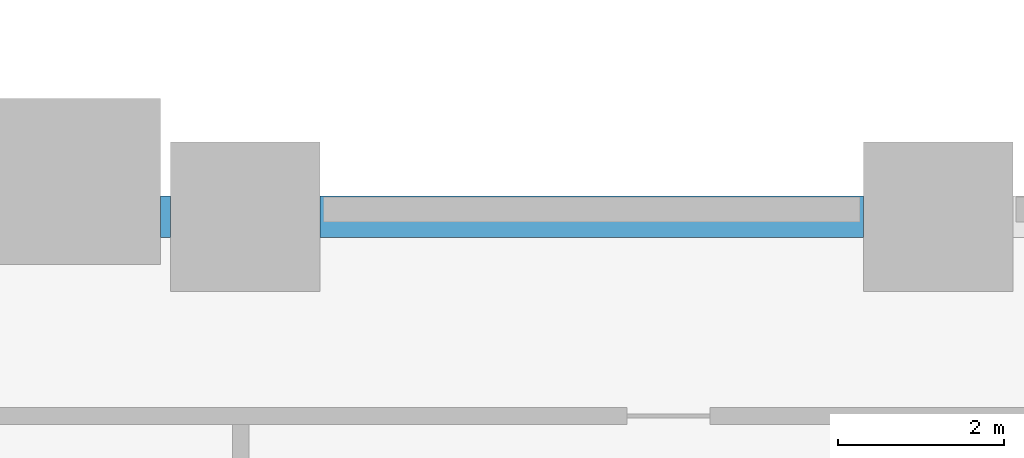
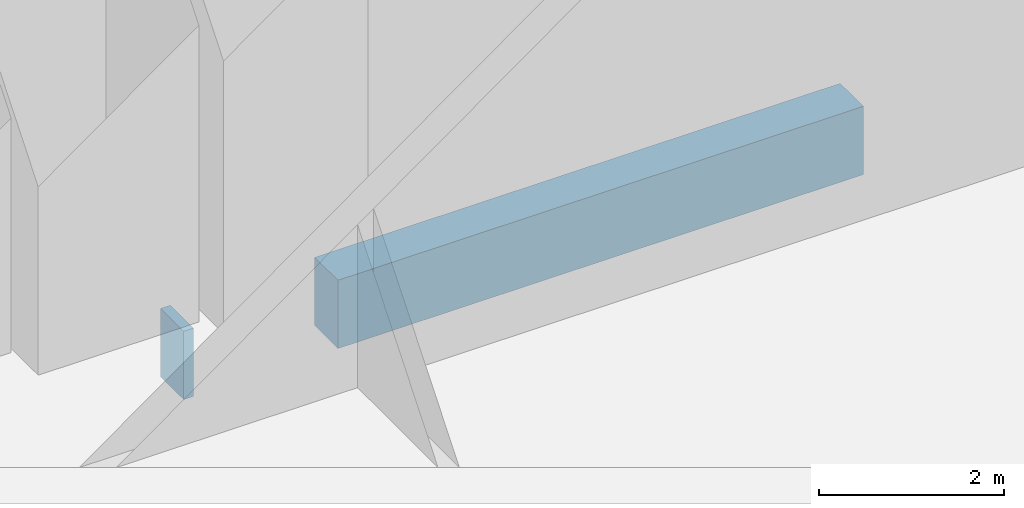
# One storey, part 2 of 28: 2 beams.
"""IFC4 building model written with IfcOpenShell, lengths in metres."""

from ifc_helpers import new_model, si_unit, direction, frame, origin, origin_2d, place, context, subcontext, project, spatial, rectangle, extrude, material, material_profile, profile_set, type_object, element, save


model = new_model("IFC4")

# Units and contexts
model_context = context("Model", 3, precision=1e-05, world=origin(), true_north=direction((0.0, 1.0)))
body_context = subcontext(model_context, "Body", "Model", "MODEL_VIEW")
ifc_project = project(units=[si_unit("LENGTHUNIT", "METRE"), si_unit("AREAUNIT", "SQUARE_METRE"), si_unit("VOLUMEUNIT", "CUBIC_METRE"), si_unit("PLANEANGLEUNIT", "RADIAN"), si_unit("MASSUNIT", "GRAM", prefix="KILO")], contexts=[model_context])

# Site, building, storey
site_placement = place(None, origin())
site = spatial("IfcSite", under=ifc_project, at=site_placement, CompositionType="ELEMENT")
building_placement = place(site_placement, origin())
building = spatial("IfcBuilding", under=site, at=building_placement, Name="Marenta Gate Hotel Tower", CompositionType="ELEMENT")
storey_placement = place(building_placement, frame((0.0, 0.0, 26.0)))
storey = spatial("IfcBuildingStorey", under=building, at=storey_placement, Name="L04", CompositionType="ELEMENT", Elevation=26.0)

# Beams
ifc_material = material(Name="Concrete C60", Category="concrete")
ifc_material_profile = material_profile(ifc_material, rectangle(XDim=0.5, YDim=0.89990234375, at=origin_2d()), Name="500 x 900")
ifc_profile_set = profile_set([ifc_material_profile], Name="Concrete C60")
beam_type = type_object("IfcBeamType", Name="Podium edge beam 500 x 900 C60", PredefinedType="BEAM", material=ifc_profile_set)
beam_1_placement = place(storey_placement, frame((-5.10009765625, -16.800048828125, -0.77001953125), z_axis=(-1.0, 0.0, 0.0), x_axis=(0.0, -1.0, 0.0)))
element("IfcBeam", 1, at=beam_1_placement, inside=storey, type_object=beam_type, Name="L04-PBM-147", PredefinedType="BEAM", context=body_context, shape_type="SweptSolid", body=[
    extrude(rectangle(XDim=0.5, YDim=0.89990234375, at=origin_2d()), origin(), (0.0, 0.0, 1.0), 6.546142578125),
])
beam_2_placement = place(storey_placement, frame((-13.4462890625, -16.800048828125, -0.77001953125), z_axis=(-1.0, 0.0, 0.0), x_axis=(0.0, -1.0, 0.0)))
element("IfcBeam", 2, at=beam_2_placement, inside=storey, type_object=beam_type, Name="L04-PBM-148", PredefinedType="BEAM", context=body_context, shape_type="SweptSolid", body=[
    extrude(rectangle(XDim=0.5, YDim=0.89990234375, at=origin_2d()), origin(), (0.0, 0.0, 1.0), 0.1201171875),
])

save(model, "model.ifc")
